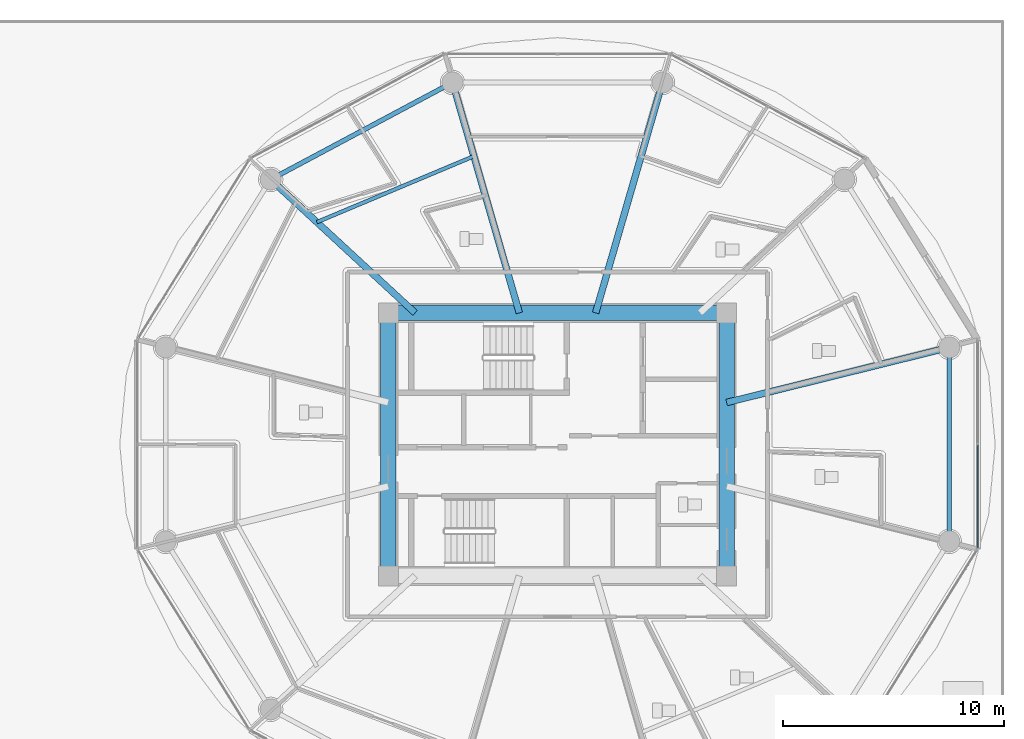
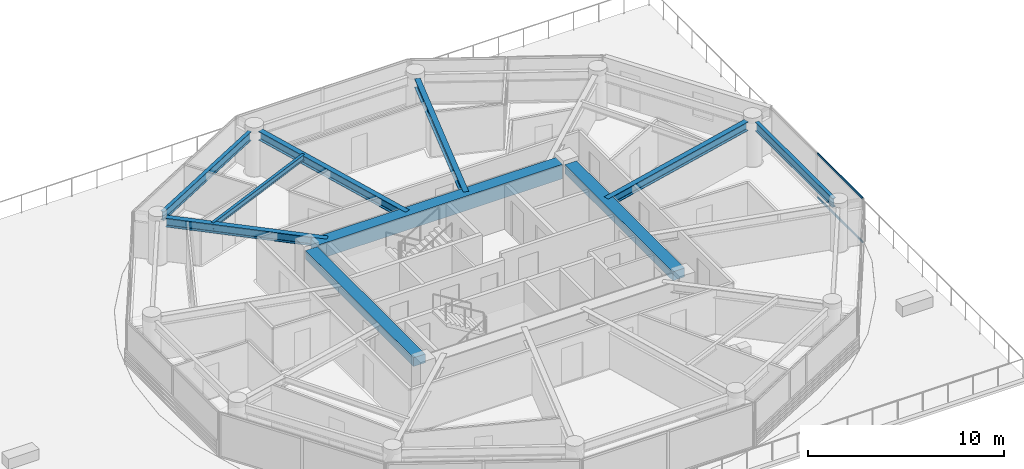
# One storey, part 11 of 32: 10 beams, 2 members, 1 element without a shape of its own.
"""IFC4 building model written with IfcOpenShell, lengths in metres."""

from ifc_helpers import new_model, si_unit, direction, frame, origin, origin_2d, place, context, subcontext, project, spatial, rectangle, i_section, extrude, source, transform, mapped, material, layer, layer_set, material_profile, profile_set, type_object, type_shapes, element, aggregate, save


model = new_model("IFC4")

# Units and contexts
model_context = context("Model", 3, precision=1e-05, world=origin(), true_north=direction((0.0, 1.0)))
body_context = subcontext(model_context, "Body", "Model", "MODEL_VIEW")
ifc_project = project(units=[si_unit("LENGTHUNIT", "METRE"), si_unit("AREAUNIT", "SQUARE_METRE"), si_unit("VOLUMEUNIT", "CUBIC_METRE"), si_unit("PLANEANGLEUNIT", "RADIAN"), si_unit("MASSUNIT", "GRAM", prefix="KILO")], contexts=[model_context])

# Site, building, storey
site_placement = place(None, origin())
site = spatial("IfcSite", under=ifc_project, at=site_placement, CompositionType="ELEMENT")
building_placement = place(site_placement, origin())
building = spatial("IfcBuilding", under=site, at=building_placement, Name="Norrkilde Senior Care Towers", CompositionType="ELEMENT")
storey_placement = place(building_placement, frame((0.0, 0.0, 21.60009765625)))
storey = spatial("IfcBuildingStorey", under=building, at=storey_placement, Name="L05", CompositionType="ELEMENT", Elevation=21.60009765625)

# Beams
ifc_material_1 = material(Name="Concrete C60/75", Category="concrete")
ifc_material_profile_1 = material_profile(ifc_material_1, rectangle(XDim=0.699951171875, YDim=0.89990234375, at=origin_2d()), Name="RC BM 700x900")
ifc_profile_set_1 = profile_set([ifc_material_profile_1], Name="Concrete C60/75")
beam_type_1 = type_object("IfcBeamType", Name="Core Coupling Girder 700x900", PredefinedType="USERDEFINED", material=ifc_profile_set_1)
shared_shape_1 = source(origin(), body_context, "Body", "SweptSolid", [
    extrude(rectangle(XDim=0.699951171875, YDim=0.89990234375, at=origin_2d()), origin(), (0.0, 0.0, 1.0), 14.43994140625),
])
type_shapes(beam_type_1, [shared_shape_1])
beam_1_placement = place(storey_placement, frame((20.780029296875, 5.949951171875, 2.33984375), z_axis=(1.0, 0.0, 0.0), x_axis=(0.0, 1.0, 0.0)))
element("IfcBeam", 1, at=beam_1_placement, inside=storey, type_object=beam_type_1, Name="L05 Core E N Coupling Girder", ObjectType="GIRDER", PredefinedType="USERDEFINED", context=body_context, shape_type="MappedRepresentation", body=[
    mapped(shared_shape_1, transform((0.0, 0.0, 0.0), x_axis=(1.0, 0.0, 0.0), y_axis=(0.0, 1.0, 0.0), z_axis=(0.0, 0.0, 1.0), scale=1.0)),
])
ifc_material_profile_2 = material_profile(ifc_material_1, rectangle(XDim=0.699951171875, YDim=0.550048828125, at=origin_2d()), Name="RC BM 700x550")
ifc_profile_set_2 = profile_set([ifc_material_profile_2], Name="Concrete C60/75")
beam_type_2 = type_object("IfcBeamType", Name="Core Portal Coupling Beam 700x550", PredefinedType="USERDEFINED", material=ifc_profile_set_2)
shared_shape_2 = source(origin(), body_context, "Body", "SweptSolid", [
    extrude(rectangle(XDim=0.699951171875, YDim=0.550048828125, at=origin_2d()), origin(), (0.0, 0.0, 1.0), 11.0400390625),
])
type_shapes(beam_type_2, [shared_shape_2])
for number, where, z_axis, x_axis, name in (
    (2, (20.35009765625, -5.52001953125, 2.514892578125), (0.0, 1.0, 0.0), (-1.0, 0.0, 0.0), "L05 Core E W Coupling Girder"),
    (3, (35.64990234375, -5.52001953125, 2.514892578125), (0.0, 1.0, 0.0), (-1.0, 0.0, 0.0), "L05 Core E E Coupling Girder"),
):
    element("IfcBeam", number, at=place(storey_placement, frame(where, z_axis=z_axis, x_axis=x_axis)), inside=storey, type_object=beam_type_2, Name=name, ObjectType="GIRDER", PredefinedType="USERDEFINED", context=body_context, shape_type="MappedRepresentation", body=[
        mapped(shared_shape_2, transform((0.0, 0.0, 0.0), x_axis=(1.0, 0.0, 0.0), y_axis=(0.0, 1.0, 0.0), z_axis=(0.0, 0.0, 1.0), scale=1.0)),
    ])
ifc_material_2 = material(Name="Steel S355", Category="steel")
ifc_material_profile_3 = material_profile(ifc_material_2, i_section(OverallWidth=0.300048828125, OverallDepth=0.550048828125, WebThickness=0.014892578125, FlangeThickness=0.029052734375, FilletRadius=0.027099609375, at=origin_2d()), Name="HEB 550")
ifc_profile_set_3 = profile_set([ifc_material_profile_3], Name="Steel S355")
beam_type_3 = type_object("IfcBeamType", Name="Radial Floor Beam Z1 HEB550", PredefinedType="BEAM", material=ifc_profile_set_3)
shared_shape_3 = source(origin(), body_context, "Body", "SweptSolid", [
    extrude(i_section(OverallWidth=0.300048828125, OverallDepth=0.550048828125, WebThickness=0.014892578125, FlangeThickness=0.029052734375, FilletRadius=0.027099609375, at=origin_2d()), origin(), (0.0, 0.0, 1.0), 9.94384765625),
])
beam_2_placement = place(storey_placement, frame((35.64990234375, 1.893310546875, 2.514892578125), z_axis=(0.970707425182, 0.240264634718, 0.0), x_axis=(-0.240264634718, 0.970707425182, 0.0)))
element("IfcBeam", 4, at=beam_2_placement, inside=storey, type_object=beam_type_3, Name="L05 Drum E Radial Floor Beam 01", PredefinedType="BEAM", context=body_context, shape_type="MappedRepresentation", body=[
    mapped(shared_shape_3, transform((0.0, 0.0, 0.0), x_axis=(1.0, 0.0, 0.0), y_axis=(0.0, 1.0, 0.0), z_axis=(0.0, 0.0, 1.0), scale=1.0)),
])
ifc_material_profile_4 = material_profile(ifc_material_2, i_section(OverallWidth=0.2099609375, OverallDepth=0.550048828125, WebThickness=0.010986328125, FlangeThickness=0.01708984375, FilletRadius=0.02392578125, at=origin_2d()), Name="IPE 550")
ifc_profile_set_4 = profile_set([ifc_material_profile_4], Name="Steel S355")
beam_type_4 = type_object("IfcBeamType", Name="Perimeter Ring Spandrel Z1 IPE550", PredefinedType="SPANDREL", material=ifc_profile_set_4)
shared_shape_4 = source(origin(), body_context, "Body", "SweptSolid", [
    extrude(i_section(OverallWidth=0.2099609375, OverallDepth=0.550048828125, WebThickness=0.010986328125, FlangeThickness=0.01708984375, FilletRadius=0.02392578125, at=origin_2d()), origin(), (0.0, 0.0, 1.0), 8.452880859375),
])
beam_3_placement = place(storey_placement, frame((22.866943359375, 16.167724609375, 2.514892578125), z_axis=(-0.882368931134, -0.470558252898, 0.0), x_axis=(0.470558252898, -0.882368931134, 0.0)))
element("IfcBeam", 5, at=beam_3_placement, inside=storey, type_object=beam_type_4, Name="L05 Drum E Perimeter Spandrel 04", PredefinedType="SPANDREL", context=body_context, shape_type="MappedRepresentation", body=[
    mapped(shared_shape_4, transform((0.0, 0.0, 0.0), x_axis=(1.0, 0.0, 0.0), y_axis=(0.0, 1.0, 0.0), z_axis=(0.0, 0.0, 1.0), scale=1.0)),
])
shared_shape_5 = source(origin(), body_context, "Body", "SweptSolid", [
    extrude(i_section(OverallWidth=0.300048828125, OverallDepth=0.550048828125, WebThickness=0.014892578125, FlangeThickness=0.029052734375, FilletRadius=0.027099609375, at=origin_2d()), origin(), (0.0, 0.0, 1.0), 8.459716796875),
])
beam_4_placement = place(storey_placement, frame((21.55859375, 5.949951171875, 2.514892578125), z_axis=(-0.734573269108, 0.678529374686, 0.0), x_axis=(-0.678529374686, -0.734573269108, 0.0)))
element("IfcBeam", 6, at=beam_4_placement, inside=storey, type_object=beam_type_3, Name="L05 Drum E Radial Floor Beam 05", PredefinedType="BEAM", context=body_context, shape_type="MappedRepresentation", body=[
    mapped(shared_shape_5, transform((0.0, 0.0, 0.0), x_axis=(1.0, 0.0, 0.0), y_axis=(0.0, 1.0, 0.0), z_axis=(0.0, 0.0, 1.0), scale=1.0)),
])
shared_shape_6 = source(origin(), body_context, "Body", "SweptSolid", [
    extrude(i_section(OverallWidth=0.300048828125, OverallDepth=0.550048828125, WebThickness=0.014892578125, FlangeThickness=0.029052734375, FilletRadius=0.027099609375, at=origin_2d()), origin(), (0.0, 0.0, 1.0), 10.4169921875),
])
type_shapes(beam_type_3, [shared_shape_3, shared_shape_5, shared_shape_6])
for number, where, z_axis, x_axis, name in (
    (7, (29.72607421875, 5.949951171875, 2.514892578125), (0.278591250785, 0.960409764104, 0.0), (-0.960409764104, 0.278591250785, 0.0), "L05 Drum E Radial Floor Beam 03"),
    (8, (26.27392578125, 5.949951171875, 2.514892578125), (-0.278591250785, 0.960409764104, 0.0), (-0.960409764104, -0.278591250785, 0.0), "L05 Drum E Radial Floor Beam 04"),
):
    element("IfcBeam", number, at=place(storey_placement, frame(where, z_axis=z_axis, x_axis=x_axis)), inside=storey, type_object=beam_type_3, Name=name, PredefinedType="BEAM", context=body_context, shape_type="MappedRepresentation", body=[
        mapped(shared_shape_6, transform((0.0, 0.0, 0.0), x_axis=(1.0, 0.0, 0.0), y_axis=(0.0, 1.0, 0.0), z_axis=(0.0, 0.0, 1.0), scale=1.0)),
    ])
shared_shape_7 = source(origin(), body_context, "Body", "SweptSolid", [
    extrude(i_section(OverallWidth=0.2099609375, OverallDepth=0.550048828125, WebThickness=0.010986328125, FlangeThickness=0.01708984375, FilletRadius=0.02392578125, at=origin_2d()), origin(), (0.0, 0.0, 1.0), 7.90380859375),
])
type_shapes(beam_type_4, [shared_shape_4, shared_shape_7])
beam_5_placement = place(storey_placement, frame((45.724853515625, -3.951904296875, 2.514892578125), z_axis=(0.0, 1.0, 0.0), x_axis=(-1.0, 0.0, 0.0)))
element("IfcBeam", 9, at=beam_5_placement, inside=storey, type_object=beam_type_4, Name="L05 Drum E Perimeter Spandrel 12", PredefinedType="SPANDREL", context=body_context, shape_type="MappedRepresentation", body=[
    mapped(shared_shape_7, transform((0.0, 0.0, 0.0), x_axis=(1.0, 0.0, 0.0), y_axis=(0.0, 1.0, 0.0), z_axis=(0.0, 0.0, 1.0), scale=1.0)),
])
ifc_material_profile_5 = material_profile(ifc_material_2, i_section(OverallWidth=0.169921875, OverallDepth=0.360107421875, WebThickness=0.008056640625, FlangeThickness=0.0126953125, FilletRadius=0.01806640625, at=origin_2d()), Name="IPE 360")
ifc_profile_set_5 = profile_set([ifc_material_profile_5], Name="Steel S355")
beam_type_5 = type_object("IfcBeamType", Name="Secondary Floor Joist IPE360", PredefinedType="JOIST", material=ifc_profile_set_5)
shared_shape_8 = source(origin(), body_context, "Body", "SweptSolid", [
    extrude(i_section(OverallWidth=0.169921875, OverallDepth=0.360107421875, WebThickness=0.008056640625, FlangeThickness=0.0126953125, FilletRadius=0.01806640625, at=origin_2d()), origin(), (0.0, 0.0, 1.0), 7.703857421875),
])
type_shapes(beam_type_5, [shared_shape_8])
beam_6_placement = place(storey_placement, frame((24.21826171875, 13.037353515625, 2.60986328125), z_axis=(-0.921982784465, -0.387230868023, 0.0), x_axis=(0.387230868023, -0.921982784465, 0.0)))
element("IfcBeam", 10, at=beam_6_placement, inside=storey, type_object=beam_type_5, Name="L05 Drum E Secondary Floor Joist 2", PredefinedType="JOIST", context=body_context, shape_type="MappedRepresentation", body=[
    mapped(shared_shape_8, transform((0.0, 0.0, 0.0), x_axis=(1.0, 0.0, 0.0), y_axis=(0.0, 1.0, 0.0), z_axis=(0.0, 0.0, 1.0), scale=1.0)),
])

# Curtain wall, members
ifc_material_3 = material(Name="Triple Low-E Insulated Glazing", Category="glass")
ifc_layer = layer(ifc_material_3, 0.199951171875)
ifc_layer_set = layer_set([ifc_layer], Name="Triple Low-E Insulated Glazing")
curtain_wall_type = type_object("IfcCurtainWallType", Name="CW2 Zone 1 Memory Care Curtain Wall", PredefinedType="NOTDEFINED", material=ifc_layer_set)
curtain_wall_placement = place(storey_placement, origin())
curtain_wall = element("IfcCurtainWall", 11, at=curtain_wall_placement, inside=storey, type_object=curtain_wall_type, Name="L05 Drum E Curtain Wall 11", PredefinedType="NOTDEFINED")
ifc_material_4 = material(Name="Anodised Aluminium", Category="aluminium")
ifc_material_profile_6 = material_profile(ifc_material_4, rectangle(XDim=0.06005859375, YDim=0.1201171875, at=origin_2d()), Name="ALU TRAN 60x120")
ifc_profile_set_6 = profile_set([ifc_material_profile_6], Name="Anodised Aluminium")
member_type = type_object("IfcMemberType", Name="Curtain Wall Transom Typical 60x120", PredefinedType="USERDEFINED", material=ifc_profile_set_6)
shared_shape_9 = source(origin(), body_context, "Body", "SweptSolid", [
    extrude(rectangle(XDim=0.06005859375, YDim=0.1201171875, at=origin_2d()), origin(), (0.0, 0.0, 1.0), 4.6337890625),
])
type_shapes(member_type, [shared_shape_9])
member_1_placement = place(storey_placement, frame((47.009521484375, -0.032470703125, 0.02978515625), z_axis=(0.0, -1.0, 0.0), x_axis=(1.0, 0.0, 0.0)))
member_1 = element("IfcMember", 12, at=member_1_placement, type_object=member_type, Name="CW-2 transom 2.1", ObjectType="TRANSOM", PredefinedType="USERDEFINED", context=body_context, shape_type="MappedRepresentation", body=[
    mapped(shared_shape_9, transform((0.0, 0.0, 0.0), x_axis=(1.0, 0.0, 0.0), y_axis=(0.0, 1.0, 0.0), z_axis=(0.0, 0.0, 1.0), scale=1.0)),
])
member_2_placement = place(storey_placement, frame((47.009521484375, -0.032470703125, 2.760009765625), z_axis=(0.0, -1.0, 0.0), x_axis=(1.0, 0.0, 0.0)))
member_2 = element("IfcMember", 13, at=member_2_placement, type_object=member_type, Name="CW-2 transom 2.2", ObjectType="TRANSOM", PredefinedType="USERDEFINED", context=body_context, shape_type="MappedRepresentation", body=[
    mapped(shared_shape_9, transform((0.0, 0.0, 0.0), x_axis=(1.0, 0.0, 0.0), y_axis=(0.0, 1.0, 0.0), z_axis=(0.0, 0.0, 1.0), scale=1.0)),
])
aggregate(curtain_wall, [member_1, member_2])

save(model, "model.ifc")
